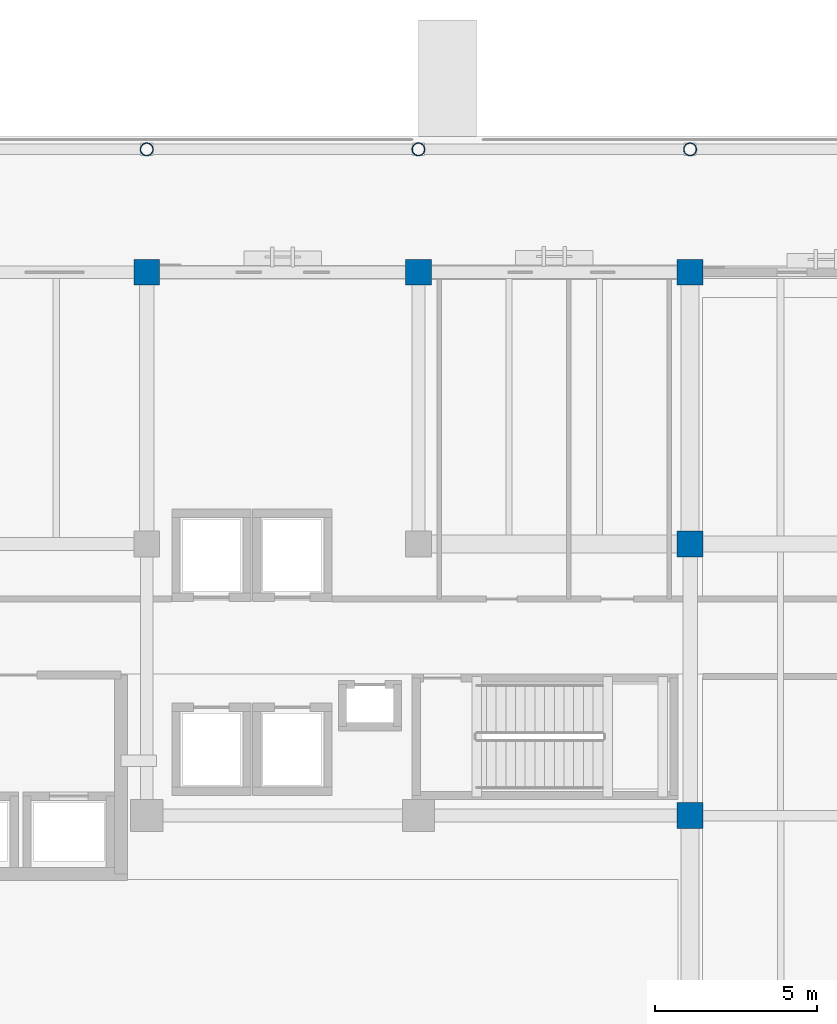
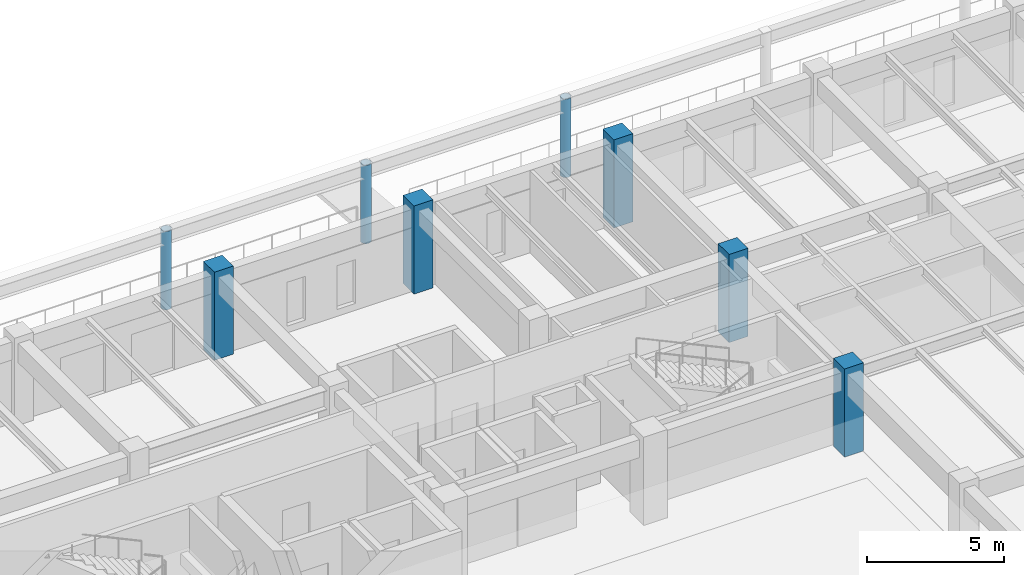
# One storey, part 12 of 135: 8 columns.
"""IFC4 building model written with IfcOpenShell, lengths in metres."""

from ifc_helpers import new_model, si_unit, direction, frame, origin, origin_2d, place, context, subcontext, project, spatial, rectangle, hollow_circle, extrude, material, material_profile, profile_set, type_object, element, save


model = new_model("IFC4")

# Units and contexts
model_context = context("Model", 3, precision=1e-05, world=origin(), true_north=direction((0.0, 1.0)))
body_context = subcontext(model_context, "Body", "Model", "MODEL_VIEW")
ifc_project = project(units=[si_unit("LENGTHUNIT", "METRE"), si_unit("AREAUNIT", "SQUARE_METRE"), si_unit("VOLUMEUNIT", "CUBIC_METRE"), si_unit("PLANEANGLEUNIT", "RADIAN"), si_unit("MASSUNIT", "GRAM", prefix="KILO")], contexts=[model_context])

# Site, building, storey
site_placement = place(None, origin())
site = spatial("IfcSite", under=ifc_project, at=site_placement, CompositionType="ELEMENT")
building_placement = place(site_placement, origin())
building = spatial("IfcBuilding", under=site, at=building_placement, Name="Cumbredor Promenade Congress Hotel", CompositionType="ELEMENT")
storey_placement = place(building_placement, origin())
storey = spatial("IfcBuildingStorey", under=building, at=storey_placement, Name="L00", CompositionType="ELEMENT", Elevation=0.0)

# Columns
ifc_material_1 = material(Name="Concrete C50/60", Category="concrete")
ifc_material_profile_1 = material_profile(ifc_material_1, rectangle(XDim=0.800048828125, YDim=0.800048828125, at=origin_2d()), Name="RC 800x800")
ifc_profile_set_1 = profile_set([ifc_material_profile_1], Name="Concrete C50/60")
column_type_1 = type_object("IfcColumnType", Name="COL-RC-800", PredefinedType="COLUMN", material=ifc_profile_set_1)
for number, where, z_axis, x_axis, name in (
    (1, (33.60009765625, 117.60009765625, 0.0), (0.0, 0.0, 1.0), (1.0, 0.0, 0.0), "L00 Structural Column 047"),
    (2, (42.0, 117.60009765625, 0.0), (0.0, 0.0, 1.0), (1.0, 0.0, 0.0), "L00 Structural Column 055"),
    (3, (50.39990234375, 100.800048828125, 0.0), (0.0, 0.0, 1.0), (1.0, 0.0, 0.0), "L00 Structural Column 062"),
    (4, (50.39990234375, 109.199951171875, 0.0), (0.0, 0.0, 1.0), (1.0, 0.0, 0.0), "L00 Structural Column 063"),
    (5, (50.39990234375, 117.60009765625, 0.0), (0.0, 0.0, 1.0), (1.0, 0.0, 0.0), "L00 Structural Column 064"),
):
    element("IfcColumn", number, at=place(storey_placement, frame(where, z_axis=z_axis, x_axis=x_axis)), inside=storey, type_object=column_type_1, Name=name, PredefinedType="COLUMN", context=body_context, shape_type="SweptSolid", body=[
        extrude(rectangle(XDim=0.800048828125, YDim=0.800048828125, at=origin_2d()), origin(), (0.0, 0.0, 1.0), 3.919921875),
    ])
ifc_material_2 = material(Name="Steel ASTM A500 Grade C", Category="steel")
ifc_material_profile_2 = material_profile(ifc_material_2, hollow_circle(Radius=0.203125, WallThickness=0.02001953125, at=origin_2d()), Name="CHS 406.4x20")
ifc_profile_set_2 = profile_set([ifc_material_profile_2], Name="Steel ASTM A500 Grade C")
column_type_2 = type_object("IfcColumnType", Name="COL-STL-CHS406", PredefinedType="COLUMN", material=ifc_profile_set_2)
for number, where, z_axis, x_axis, name in (
    (6, (33.60009765625, 121.39990234375, -0.300048828125), (0.0, 0.0, 1.0), (1.0, 0.0, 0.0), "Promenade Colonnade Column TC-035"),
    (7, (42.0, 121.39990234375, -0.300048828125), (0.0, 0.0, 1.0), (1.0, 0.0, 0.0), "Promenade Colonnade Column TC-036"),
    (8, (50.39990234375, 121.39990234375, -0.300048828125), (0.0, 0.0, 1.0), (1.0, 0.0, 0.0), "Promenade Colonnade Column TC-037"),
):
    element("IfcColumn", number, at=place(storey_placement, frame(where, z_axis=z_axis, x_axis=x_axis)), inside=storey, type_object=column_type_2, Name=name, PredefinedType="COLUMN", context=body_context, shape_type="SweptSolid", body=[
        extrude(hollow_circle(Radius=0.203125, WallThickness=0.02001953125, at=origin_2d()), origin(), (0.0, 0.0, 1.0), 3.485107421875),
    ])

save(model, "model.ifc")
